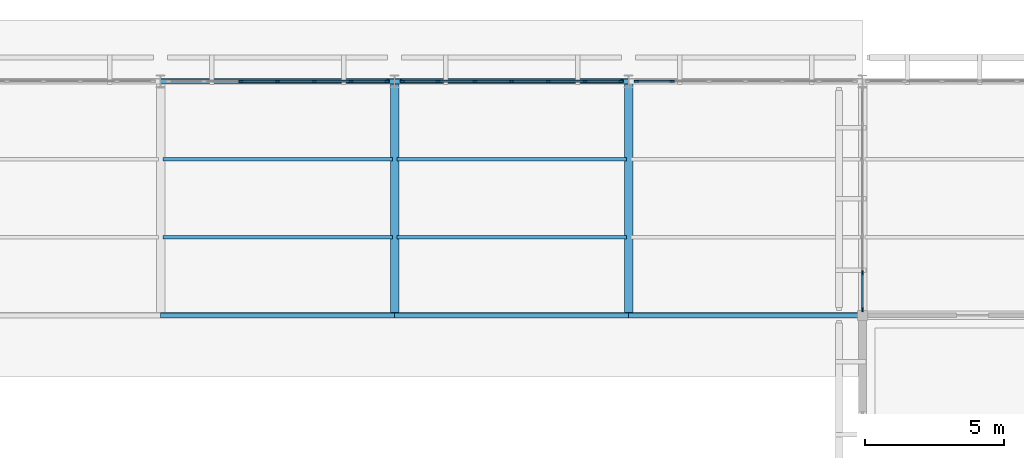
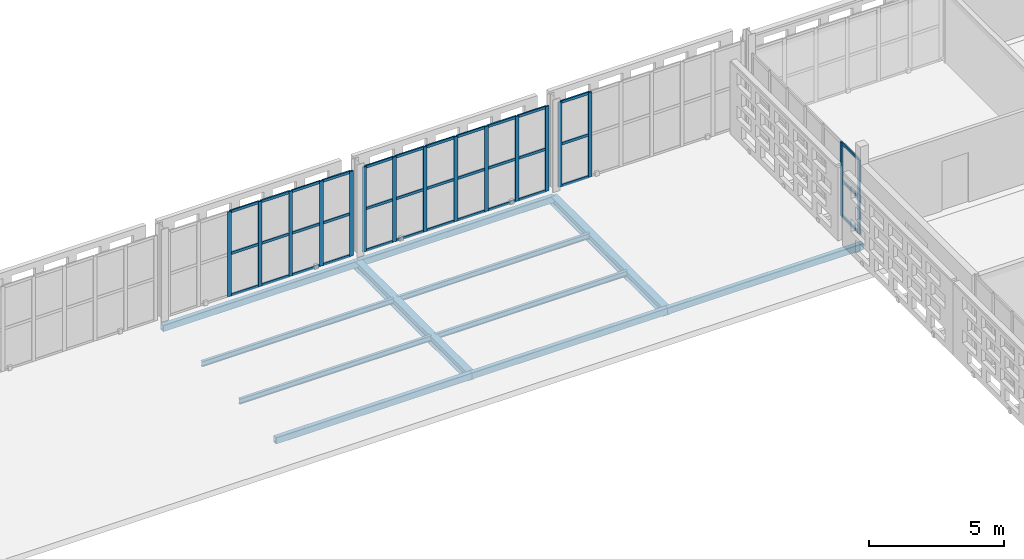
# One storey, part 53 of 166: 52 members, 11 beams, 4 elements without a shape of their own.
"""IFC4 building model written with IfcOpenShell, lengths in metres."""

from ifc_helpers import new_model, si_unit, direction, frame, origin, origin_2d, place, context, subcontext, project, spatial, rectangle, hollow_rectangle, i_section, extrude, material, layer, layer_set, material_profile, profile_set, type_object, element, aggregate, save


model = new_model("IFC4")

# Units and contexts
model_context = context("Model", 3, precision=1e-05, world=origin(), true_north=direction((0.0, 1.0)))
body_context = subcontext(model_context, "Body", "Model", "MODEL_VIEW")
ifc_project = project(units=[si_unit("LENGTHUNIT", "METRE"), si_unit("AREAUNIT", "SQUARE_METRE"), si_unit("VOLUMEUNIT", "CUBIC_METRE"), si_unit("PLANEANGLEUNIT", "RADIAN"), si_unit("MASSUNIT", "GRAM", prefix="KILO")], contexts=[model_context])

# Site, building, storey
site_placement = place(None, origin())
site = spatial("IfcSite", under=ifc_project, at=site_placement, CompositionType="ELEMENT")
building_placement = place(site_placement, origin())
building = spatial("IfcBuilding", under=site, at=building_placement, Name="Varnapada Polytechnic", CompositionType="ELEMENT")
storey_placement = place(building_placement, frame((0.0, 0.0, 9.60009765625)))
storey = spatial("IfcBuildingStorey", under=building, at=storey_placement, Name="L02", CompositionType="ELEMENT", Elevation=9.60009765625)

# Curtain wall, members
ifc_material_1 = material(Name="Double low-E laminated glass", Category="glass")
ifc_layer = layer(ifc_material_1, 0.159912109375)
ifc_layer_set = layer_set([ifc_layer], Name="Double low-E laminated glass")
curtain_wall_type = type_object("IfcCurtainWallType", Name="Curtain Wall CW-02", PredefinedType="NOTDEFINED", material=ifc_layer_set)
curtain_wall_1_placement = place(storey_placement, origin())
curtain_wall_1 = element("IfcCurtainWall", 1, at=curtain_wall_1_placement, inside=storey, type_object=curtain_wall_type, Name="L02 unitised curtain wall CW-02 (179)", PredefinedType="NOTDEFINED")
ifc_material_2 = material(Name="Anodised aluminium", Category="aluminium")
ifc_material_profile_1 = material_profile(ifc_material_2, rectangle(XDim=0.06005859375, YDim=0.159912109375, at=origin_2d()), Name="ALU M60x160")
ifc_profile_set_1 = profile_set([ifc_material_profile_1], Name="Anodised aluminium")
member_type_1 = type_object("IfcMemberType", Name="Mullion M-01", PredefinedType="MULLION", material=ifc_profile_set_1)
member_1_placement = place(storey_placement, frame((117.60009765625, 117.81005859375, 0.0), z_axis=(0.0, 0.0, 1.0), x_axis=(-1.0, 0.0, 0.0)))
member_1 = element("IfcMember", 2, at=member_1_placement, type_object=member_type_1, Name="CW-02 mullion 1", PredefinedType="MULLION", context=body_context, shape_type="SweptSolid", body=[
    extrude(rectangle(XDim=0.06005859375, YDim=0.159912109375, at=origin_2d()), origin(), (0.0, 0.0, 1.0), 3.35986328125),
])
member_2_placement = place(storey_placement, frame((117.60009765625, 119.112548828125, 0.0), z_axis=(0.0, 0.0, 1.0), x_axis=(-1.0, 0.0, 0.0)))
member_2 = element("IfcMember", 3, at=member_2_placement, type_object=member_type_1, Name="CW-02 mullion 2", PredefinedType="MULLION", context=body_context, shape_type="SweptSolid", body=[
    extrude(rectangle(XDim=0.06005859375, YDim=0.159912109375, at=origin_2d()), origin(), (0.0, 0.0, 1.0), 3.35986328125),
])

curtain_wall_2_placement = place(storey_placement, origin())
curtain_wall_2 = element("IfcCurtainWall", 4, at=curtain_wall_2_placement, inside=storey, type_object=curtain_wall_type, Name="L02 high-bay workshop north curtain wall 12", PredefinedType="NOTDEFINED")
member_3_placement = place(storey_placement, frame((95.283447265625, 126.0, 0.0), z_axis=(0.0, 0.0, 1.0), x_axis=(0.0, 1.0, 0.0)))
member_3 = element("IfcMember", 5, at=member_3_placement, type_object=member_type_1, Name="CW-02 mullion 3", PredefinedType="MULLION", context=body_context, shape_type="SweptSolid", body=[
    extrude(rectangle(XDim=0.06005859375, YDim=0.159912109375, at=origin_2d()), origin(), (0.0, 0.0, 1.0), 3.849853515625),
])
member_4_placement = place(storey_placement, frame((96.60009765625, 126.0, 0.0), z_axis=(0.0, 0.0, 1.0), x_axis=(0.0, 1.0, 0.0)))
member_4 = element("IfcMember", 6, at=member_4_placement, type_object=member_type_1, Name="CW-02 mullion 4", PredefinedType="MULLION", context=body_context, shape_type="SweptSolid", body=[
    extrude(rectangle(XDim=0.06005859375, YDim=0.159912109375, at=origin_2d()), origin(), (0.0, 0.0, 1.0), 3.849853515625),
])
member_5_placement = place(storey_placement, frame((97.916748046875, 126.0, 0.0), z_axis=(0.0, 0.0, 1.0), x_axis=(0.0, 1.0, 0.0)))
member_5 = element("IfcMember", 7, at=member_5_placement, type_object=member_type_1, Name="CW-02 mullion 5", PredefinedType="MULLION", context=body_context, shape_type="SweptSolid", body=[
    extrude(rectangle(XDim=0.06005859375, YDim=0.159912109375, at=origin_2d()), origin(), (0.0, 0.0, 1.0), 3.849853515625),
])
member_6_placement = place(storey_placement, frame((99.2333984375, 126.0, 0.0), z_axis=(0.0, 0.0, 1.0), x_axis=(0.0, 1.0, 0.0)))
member_6 = element("IfcMember", 8, at=member_6_placement, type_object=member_type_1, Name="CW-02 mullion 6", PredefinedType="MULLION", context=body_context, shape_type="SweptSolid", body=[
    extrude(rectangle(XDim=0.06005859375, YDim=0.159912109375, at=origin_2d()), origin(), (0.0, 0.0, 1.0), 3.849853515625),
])
member_7_placement = place(storey_placement, frame((100.52001953125, 126.0, 0.0), z_axis=(0.0, 0.0, 1.0), x_axis=(0.0, 1.0, 0.0)))
member_7 = element("IfcMember", 9, at=member_7_placement, type_object=member_type_1, Name="CW-02 mullion 7", PredefinedType="MULLION", context=body_context, shape_type="SweptSolid", body=[
    extrude(rectangle(XDim=0.06005859375, YDim=0.159912109375, at=origin_2d()), origin(), (0.0, 0.0, 1.0), 3.849853515625),
])

curtain_wall_3_placement = place(storey_placement, origin())
curtain_wall_3 = element("IfcCurtainWall", 10, at=curtain_wall_3_placement, inside=storey, type_object=curtain_wall_type, Name="L02 high-bay workshop north curtain wall 13", PredefinedType="NOTDEFINED")
member_8_placement = place(storey_placement, frame((101.080078125, 126.0, 0.0), z_axis=(0.0, 0.0, 1.0), x_axis=(0.0, 1.0, 0.0)))
member_8 = element("IfcMember", 11, at=member_8_placement, type_object=member_type_1, Name="CW-02 mullion 1", PredefinedType="MULLION", context=body_context, shape_type="SweptSolid", body=[
    extrude(rectangle(XDim=0.06005859375, YDim=0.159912109375, at=origin_2d()), origin(), (0.0, 0.0, 1.0), 3.849853515625),
])
member_9_placement = place(storey_placement, frame((102.36669921875, 126.0, 0.0), z_axis=(0.0, 0.0, 1.0), x_axis=(0.0, 1.0, 0.0)))
member_9 = element("IfcMember", 12, at=member_9_placement, type_object=member_type_1, Name="CW-02 mullion 2", PredefinedType="MULLION", context=body_context, shape_type="SweptSolid", body=[
    extrude(rectangle(XDim=0.06005859375, YDim=0.159912109375, at=origin_2d()), origin(), (0.0, 0.0, 1.0), 3.849853515625),
])
member_10_placement = place(storey_placement, frame((103.683349609375, 126.0, 0.0), z_axis=(0.0, 0.0, 1.0), x_axis=(0.0, 1.0, 0.0)))
member_10 = element("IfcMember", 13, at=member_10_placement, type_object=member_type_1, Name="CW-02 mullion 3", PredefinedType="MULLION", context=body_context, shape_type="SweptSolid", body=[
    extrude(rectangle(XDim=0.06005859375, YDim=0.159912109375, at=origin_2d()), origin(), (0.0, 0.0, 1.0), 3.849853515625),
])
member_11_placement = place(storey_placement, frame((105.0, 126.0, 0.0), z_axis=(0.0, 0.0, 1.0), x_axis=(0.0, 1.0, 0.0)))
member_11 = element("IfcMember", 14, at=member_11_placement, type_object=member_type_1, Name="CW-02 mullion 4", PredefinedType="MULLION", context=body_context, shape_type="SweptSolid", body=[
    extrude(rectangle(XDim=0.06005859375, YDim=0.159912109375, at=origin_2d()), origin(), (0.0, 0.0, 1.0), 3.849853515625),
])
member_12_placement = place(storey_placement, frame((106.316650390625, 126.0, 0.0), z_axis=(0.0, 0.0, 1.0), x_axis=(0.0, 1.0, 0.0)))
member_12 = element("IfcMember", 15, at=member_12_placement, type_object=member_type_1, Name="CW-02 mullion 5", PredefinedType="MULLION", context=body_context, shape_type="SweptSolid", body=[
    extrude(rectangle(XDim=0.06005859375, YDim=0.159912109375, at=origin_2d()), origin(), (0.0, 0.0, 1.0), 3.849853515625),
])
member_13_placement = place(storey_placement, frame((107.63330078125, 126.0, 0.0), z_axis=(0.0, 0.0, 1.0), x_axis=(0.0, 1.0, 0.0)))
member_13 = element("IfcMember", 16, at=member_13_placement, type_object=member_type_1, Name="CW-02 mullion 6", PredefinedType="MULLION", context=body_context, shape_type="SweptSolid", body=[
    extrude(rectangle(XDim=0.06005859375, YDim=0.159912109375, at=origin_2d()), origin(), (0.0, 0.0, 1.0), 3.849853515625),
])
member_14_placement = place(storey_placement, frame((108.919921875, 126.0, 0.0), z_axis=(0.0, 0.0, 1.0), x_axis=(0.0, 1.0, 0.0)))
member_14 = element("IfcMember", 17, at=member_14_placement, type_object=member_type_1, Name="CW-02 mullion 7", PredefinedType="MULLION", context=body_context, shape_type="SweptSolid", body=[
    extrude(rectangle(XDim=0.06005859375, YDim=0.159912109375, at=origin_2d()), origin(), (0.0, 0.0, 1.0), 3.849853515625),
])

curtain_wall_4_placement = place(storey_placement, origin())
curtain_wall_4 = element("IfcCurtainWall", 18, at=curtain_wall_4_placement, inside=storey, type_object=curtain_wall_type, Name="L02 high-bay workshop north curtain wall 14", PredefinedType="NOTDEFINED")
member_15_placement = place(storey_placement, frame((109.47998046875, 126.0, 0.0), z_axis=(0.0, 0.0, 1.0), x_axis=(0.0, 1.0, 0.0)))
member_15 = element("IfcMember", 19, at=member_15_placement, type_object=member_type_1, Name="CW-02 mullion 1", PredefinedType="MULLION", context=body_context, shape_type="SweptSolid", body=[
    extrude(rectangle(XDim=0.06005859375, YDim=0.159912109375, at=origin_2d()), origin(), (0.0, 0.0, 1.0), 3.849853515625),
])
member_16_placement = place(storey_placement, frame((110.7666015625, 126.0, 0.0), z_axis=(0.0, 0.0, 1.0), x_axis=(0.0, 1.0, 0.0)))
member_16 = element("IfcMember", 20, at=member_16_placement, type_object=member_type_1, Name="CW-02 mullion 2", PredefinedType="MULLION", context=body_context, shape_type="SweptSolid", body=[
    extrude(rectangle(XDim=0.06005859375, YDim=0.159912109375, at=origin_2d()), origin(), (0.0, 0.0, 1.0), 3.849853515625),
])

# Beams
ifc_material_3 = material(Name="Steel S355", Category="steel")
ifc_material_profile_2 = material_profile(ifc_material_3, i_section(OverallWidth=0.300048828125, OverallDepth=0.389892578125, WebThickness=0.010986328125, FlangeThickness=0.01904296875, FilletRadius=0.027099609375, at=origin_2d()), Name="HEA 400")
ifc_profile_set_2 = profile_set([ifc_material_profile_2], Name="Steel S355")
beam_type_1 = type_object("IfcBeamType", Name="Steel roof primary girder SG-01 (HEA 400)", PredefinedType="BEAM", material=ifc_profile_set_2)
for number, where, z_axis, x_axis, name in (
    (21, (100.800048828125, 117.60009765625, -0.465087890625), (0.0, 1.0, 0.0), (-1.0, 0.0, 0.0), "L02 beam Y 15-16 at X13"),
    (22, (109.199951171875, 117.60009765625, -0.465087890625), (0.0, 1.0, 0.0), (-1.0, 0.0, 0.0), "L02 beam Y 15-16 at X14"),
):
    element("IfcBeam", number, at=place(storey_placement, frame(where, z_axis=z_axis, x_axis=x_axis)), inside=storey, type_object=beam_type_1, Name=name, PredefinedType="BEAM", context=body_context, shape_type="SweptSolid", body=[
        extrude(i_section(OverallWidth=0.300048828125, OverallDepth=0.389892578125, WebThickness=0.010986328125, FlangeThickness=0.01904296875, FilletRadius=0.027099609375, at=origin_2d()), origin(), (0.0, 0.0, 1.0), 8.39990234375),
    ])

# Member
ifc_material_profile_3 = material_profile(ifc_material_2, rectangle(XDim=0.06005859375, YDim=0.1201171875, at=origin_2d()), Name="ALU T60x120")
ifc_profile_set_3 = profile_set([ifc_material_profile_3], Name="Anodised aluminium")
member_type_2 = type_object("IfcMemberType", Name="Transom T-01", PredefinedType="USERDEFINED", material=ifc_profile_set_3)
member_17_placement = place(storey_placement, frame((117.60009765625, 117.840087890625, 0.02978515625), z_axis=(0.0, 1.0, 0.0), x_axis=(-1.0, 0.0, 0.0)))
member_17 = element("IfcMember", 23, at=member_17_placement, type_object=member_type_2, Name="CW-02 transom 1.1", ObjectType="TRANSOM", PredefinedType="USERDEFINED", context=body_context, shape_type="SweptSolid", body=[
    extrude(rectangle(XDim=0.06005859375, YDim=0.1201171875, at=origin_2d()), origin(), (0.0, 0.0, 1.0), 1.242431640625),
])

member_18_placement = place(storey_placement, frame((117.60009765625, 117.840087890625, 1.61279296875), z_axis=(0.0, 1.0, 0.0), x_axis=(-1.0, 0.0, 0.0)))
member_18 = element("IfcMember", 24, at=member_18_placement, type_object=member_type_2, Name="CW-02 transom 1.2", ObjectType="TRANSOM", PredefinedType="USERDEFINED", context=body_context, shape_type="SweptSolid", body=[
    extrude(rectangle(XDim=0.06005859375, YDim=0.1201171875, at=origin_2d()), origin(), (0.0, 0.0, 1.0), 1.242431640625),
])

member_19_placement = place(storey_placement, frame((117.60009765625, 117.840087890625, 3.329833984375), z_axis=(0.0, 1.0, 0.0), x_axis=(-1.0, 0.0, 0.0)))
member_19 = element("IfcMember", 25, at=member_19_placement, type_object=member_type_2, Name="CW-02 transom 1.3", ObjectType="TRANSOM", PredefinedType="USERDEFINED", context=body_context, shape_type="SweptSolid", body=[
    extrude(rectangle(XDim=0.06005859375, YDim=0.1201171875, at=origin_2d()), origin(), (0.0, 0.0, 1.0), 1.242431640625),
])

aggregate(curtain_wall_1, [member_1, member_2, member_17, member_18, member_19])

member_20_placement = place(storey_placement, frame((95.313232421875, 126.0, 0.02978515625), z_axis=(1.0, 0.0, 0.0), x_axis=(0.0, 1.0, 0.0)))
member_20 = element("IfcMember", 26, at=member_20_placement, type_object=member_type_2, Name="CW-02 transom 3.1", ObjectType="TRANSOM", PredefinedType="USERDEFINED", context=body_context, shape_type="SweptSolid", body=[
    extrude(rectangle(XDim=0.06005859375, YDim=0.1201171875, at=origin_2d()), origin(), (0.0, 0.0, 1.0), 1.2568359375),
])

member_21_placement = place(storey_placement, frame((95.313232421875, 126.0, 1.9248046875), z_axis=(1.0, 0.0, 0.0), x_axis=(0.0, 1.0, 0.0)))
member_21 = element("IfcMember", 27, at=member_21_placement, type_object=member_type_2, Name="CW-02 transom 3.2", ObjectType="TRANSOM", PredefinedType="USERDEFINED", context=body_context, shape_type="SweptSolid", body=[
    extrude(rectangle(XDim=0.06005859375, YDim=0.1201171875, at=origin_2d()), origin(), (0.0, 0.0, 1.0), 1.2568359375),
])

member_22_placement = place(storey_placement, frame((95.313232421875, 126.0, 3.81982421875), z_axis=(1.0, 0.0, 0.0), x_axis=(0.0, 1.0, 0.0)))
member_22 = element("IfcMember", 28, at=member_22_placement, type_object=member_type_2, Name="CW-02 transom 3.3", ObjectType="TRANSOM", PredefinedType="USERDEFINED", context=body_context, shape_type="SweptSolid", body=[
    extrude(rectangle(XDim=0.06005859375, YDim=0.1201171875, at=origin_2d()), origin(), (0.0, 0.0, 1.0), 1.2568359375),
])

member_23_placement = place(storey_placement, frame((96.6298828125, 126.0, 0.02978515625), z_axis=(1.0, 0.0, 0.0), x_axis=(0.0, 1.0, 0.0)))
member_23 = element("IfcMember", 29, at=member_23_placement, type_object=member_type_2, Name="CW-02 transom 4.1", ObjectType="TRANSOM", PredefinedType="USERDEFINED", context=body_context, shape_type="SweptSolid", body=[
    extrude(rectangle(XDim=0.06005859375, YDim=0.1201171875, at=origin_2d()), origin(), (0.0, 0.0, 1.0), 1.2568359375),
])

member_24_placement = place(storey_placement, frame((96.6298828125, 126.0, 1.9248046875), z_axis=(1.0, 0.0, 0.0), x_axis=(0.0, 1.0, 0.0)))
member_24 = element("IfcMember", 30, at=member_24_placement, type_object=member_type_2, Name="CW-02 transom 4.2", ObjectType="TRANSOM", PredefinedType="USERDEFINED", context=body_context, shape_type="SweptSolid", body=[
    extrude(rectangle(XDim=0.06005859375, YDim=0.1201171875, at=origin_2d()), origin(), (0.0, 0.0, 1.0), 1.2568359375),
])

member_25_placement = place(storey_placement, frame((96.6298828125, 126.0, 3.81982421875), z_axis=(1.0, 0.0, 0.0), x_axis=(0.0, 1.0, 0.0)))
member_25 = element("IfcMember", 31, at=member_25_placement, type_object=member_type_2, Name="CW-02 transom 4.3", ObjectType="TRANSOM", PredefinedType="USERDEFINED", context=body_context, shape_type="SweptSolid", body=[
    extrude(rectangle(XDim=0.06005859375, YDim=0.1201171875, at=origin_2d()), origin(), (0.0, 0.0, 1.0), 1.2568359375),
])

member_26_placement = place(storey_placement, frame((97.94677734375, 126.0, 0.02978515625), z_axis=(1.0, 0.0, 0.0), x_axis=(0.0, 1.0, 0.0)))
member_26 = element("IfcMember", 32, at=member_26_placement, type_object=member_type_2, Name="CW-02 transom 5.1", ObjectType="TRANSOM", PredefinedType="USERDEFINED", context=body_context, shape_type="SweptSolid", body=[
    extrude(rectangle(XDim=0.06005859375, YDim=0.1201171875, at=origin_2d()), origin(), (0.0, 0.0, 1.0), 1.256591796875),
])

member_27_placement = place(storey_placement, frame((97.94677734375, 126.0, 1.9248046875), z_axis=(1.0, 0.0, 0.0), x_axis=(0.0, 1.0, 0.0)))
member_27 = element("IfcMember", 33, at=member_27_placement, type_object=member_type_2, Name="CW-02 transom 5.2", ObjectType="TRANSOM", PredefinedType="USERDEFINED", context=body_context, shape_type="SweptSolid", body=[
    extrude(rectangle(XDim=0.06005859375, YDim=0.1201171875, at=origin_2d()), origin(), (0.0, 0.0, 1.0), 1.256591796875),
])

member_28_placement = place(storey_placement, frame((97.94677734375, 126.0, 3.81982421875), z_axis=(1.0, 0.0, 0.0), x_axis=(0.0, 1.0, 0.0)))
member_28 = element("IfcMember", 34, at=member_28_placement, type_object=member_type_2, Name="CW-02 transom 5.3", ObjectType="TRANSOM", PredefinedType="USERDEFINED", context=body_context, shape_type="SweptSolid", body=[
    extrude(rectangle(XDim=0.06005859375, YDim=0.1201171875, at=origin_2d()), origin(), (0.0, 0.0, 1.0), 1.256591796875),
])

member_29_placement = place(storey_placement, frame((99.263427734375, 126.0, 0.02978515625), z_axis=(1.0, 0.0, 0.0), x_axis=(0.0, 1.0, 0.0)))
member_29 = element("IfcMember", 35, at=member_29_placement, type_object=member_type_2, Name="CW-02 transom 6.1", ObjectType="TRANSOM", PredefinedType="USERDEFINED", context=body_context, shape_type="SweptSolid", body=[
    extrude(rectangle(XDim=0.06005859375, YDim=0.1201171875, at=origin_2d()), origin(), (0.0, 0.0, 1.0), 1.2265625),
])

member_30_placement = place(storey_placement, frame((99.263427734375, 126.0, 1.9248046875), z_axis=(1.0, 0.0, 0.0), x_axis=(0.0, 1.0, 0.0)))
member_30 = element("IfcMember", 36, at=member_30_placement, type_object=member_type_2, Name="CW-02 transom 6.2", ObjectType="TRANSOM", PredefinedType="USERDEFINED", context=body_context, shape_type="SweptSolid", body=[
    extrude(rectangle(XDim=0.06005859375, YDim=0.1201171875, at=origin_2d()), origin(), (0.0, 0.0, 1.0), 1.2265625),
])

member_31_placement = place(storey_placement, frame((99.263427734375, 126.0, 3.81982421875), z_axis=(1.0, 0.0, 0.0), x_axis=(0.0, 1.0, 0.0)))
member_31 = element("IfcMember", 37, at=member_31_placement, type_object=member_type_2, Name="CW-02 transom 6.3", ObjectType="TRANSOM", PredefinedType="USERDEFINED", context=body_context, shape_type="SweptSolid", body=[
    extrude(rectangle(XDim=0.06005859375, YDim=0.1201171875, at=origin_2d()), origin(), (0.0, 0.0, 1.0), 1.2265625),
])

aggregate(curtain_wall_2, [member_3, member_4, member_5, member_6, member_7, member_20, member_21, member_22, member_23, member_24, member_25, member_26, member_27, member_28, member_29, member_30, member_31])

member_32_placement = place(storey_placement, frame((101.110107421875, 126.0, 0.02978515625), z_axis=(1.0, 0.0, 0.0), x_axis=(0.0, 1.0, 0.0)))
member_32 = element("IfcMember", 38, at=member_32_placement, type_object=member_type_2, Name="CW-02 transom 1.1", ObjectType="TRANSOM", PredefinedType="USERDEFINED", context=body_context, shape_type="SweptSolid", body=[
    extrude(rectangle(XDim=0.06005859375, YDim=0.1201171875, at=origin_2d()), origin(), (0.0, 0.0, 1.0), 1.2265625),
])

member_33_placement = place(storey_placement, frame((101.110107421875, 126.0, 1.9248046875), z_axis=(1.0, 0.0, 0.0), x_axis=(0.0, 1.0, 0.0)))
member_33 = element("IfcMember", 39, at=member_33_placement, type_object=member_type_2, Name="CW-02 transom 1.2", ObjectType="TRANSOM", PredefinedType="USERDEFINED", context=body_context, shape_type="SweptSolid", body=[
    extrude(rectangle(XDim=0.06005859375, YDim=0.1201171875, at=origin_2d()), origin(), (0.0, 0.0, 1.0), 1.2265625),
])

member_34_placement = place(storey_placement, frame((101.110107421875, 126.0, 3.81982421875), z_axis=(1.0, 0.0, 0.0), x_axis=(0.0, 1.0, 0.0)))
member_34 = element("IfcMember", 40, at=member_34_placement, type_object=member_type_2, Name="CW-02 transom 1.3", ObjectType="TRANSOM", PredefinedType="USERDEFINED", context=body_context, shape_type="SweptSolid", body=[
    extrude(rectangle(XDim=0.06005859375, YDim=0.1201171875, at=origin_2d()), origin(), (0.0, 0.0, 1.0), 1.2265625),
])

member_35_placement = place(storey_placement, frame((102.396728515625, 126.0, 0.02978515625), z_axis=(1.0, 0.0, 0.0), x_axis=(0.0, 1.0, 0.0)))
member_35 = element("IfcMember", 41, at=member_35_placement, type_object=member_type_2, Name="CW-02 transom 2.1", ObjectType="TRANSOM", PredefinedType="USERDEFINED", context=body_context, shape_type="SweptSolid", body=[
    extrude(rectangle(XDim=0.06005859375, YDim=0.1201171875, at=origin_2d()), origin(), (0.0, 0.0, 1.0), 1.256591796875),
])

member_36_placement = place(storey_placement, frame((102.396728515625, 126.0, 1.9248046875), z_axis=(1.0, 0.0, 0.0), x_axis=(0.0, 1.0, 0.0)))
member_36 = element("IfcMember", 42, at=member_36_placement, type_object=member_type_2, Name="CW-02 transom 2.2", ObjectType="TRANSOM", PredefinedType="USERDEFINED", context=body_context, shape_type="SweptSolid", body=[
    extrude(rectangle(XDim=0.06005859375, YDim=0.1201171875, at=origin_2d()), origin(), (0.0, 0.0, 1.0), 1.256591796875),
])

member_37_placement = place(storey_placement, frame((102.396728515625, 126.0, 3.81982421875), z_axis=(1.0, 0.0, 0.0), x_axis=(0.0, 1.0, 0.0)))
member_37 = element("IfcMember", 43, at=member_37_placement, type_object=member_type_2, Name="CW-02 transom 2.3", ObjectType="TRANSOM", PredefinedType="USERDEFINED", context=body_context, shape_type="SweptSolid", body=[
    extrude(rectangle(XDim=0.06005859375, YDim=0.1201171875, at=origin_2d()), origin(), (0.0, 0.0, 1.0), 1.256591796875),
])

member_38_placement = place(storey_placement, frame((103.71337890625, 126.0, 0.02978515625), z_axis=(1.0, 0.0, 0.0), x_axis=(0.0, 1.0, 0.0)))
member_38 = element("IfcMember", 44, at=member_38_placement, type_object=member_type_2, Name="CW-02 transom 3.1", ObjectType="TRANSOM", PredefinedType="USERDEFINED", context=body_context, shape_type="SweptSolid", body=[
    extrude(rectangle(XDim=0.06005859375, YDim=0.1201171875, at=origin_2d()), origin(), (0.0, 0.0, 1.0), 1.256591796875),
])

member_39_placement = place(storey_placement, frame((103.71337890625, 126.0, 1.9248046875), z_axis=(1.0, 0.0, 0.0), x_axis=(0.0, 1.0, 0.0)))
member_39 = element("IfcMember", 45, at=member_39_placement, type_object=member_type_2, Name="CW-02 transom 3.2", ObjectType="TRANSOM", PredefinedType="USERDEFINED", context=body_context, shape_type="SweptSolid", body=[
    extrude(rectangle(XDim=0.06005859375, YDim=0.1201171875, at=origin_2d()), origin(), (0.0, 0.0, 1.0), 1.256591796875),
])

member_40_placement = place(storey_placement, frame((103.71337890625, 126.0, 3.81982421875), z_axis=(1.0, 0.0, 0.0), x_axis=(0.0, 1.0, 0.0)))
member_40 = element("IfcMember", 46, at=member_40_placement, type_object=member_type_2, Name="CW-02 transom 3.3", ObjectType="TRANSOM", PredefinedType="USERDEFINED", context=body_context, shape_type="SweptSolid", body=[
    extrude(rectangle(XDim=0.06005859375, YDim=0.1201171875, at=origin_2d()), origin(), (0.0, 0.0, 1.0), 1.256591796875),
])

member_41_placement = place(storey_placement, frame((105.030029296875, 126.0, 0.02978515625), z_axis=(1.0, 0.0, 0.0), x_axis=(0.0, 1.0, 0.0)))
member_41 = element("IfcMember", 47, at=member_41_placement, type_object=member_type_2, Name="CW-02 transom 4.1", ObjectType="TRANSOM", PredefinedType="USERDEFINED", context=body_context, shape_type="SweptSolid", body=[
    extrude(rectangle(XDim=0.06005859375, YDim=0.1201171875, at=origin_2d()), origin(), (0.0, 0.0, 1.0), 1.256591796875),
])

member_42_placement = place(storey_placement, frame((105.030029296875, 126.0, 1.9248046875), z_axis=(1.0, 0.0, 0.0), x_axis=(0.0, 1.0, 0.0)))
member_42 = element("IfcMember", 48, at=member_42_placement, type_object=member_type_2, Name="CW-02 transom 4.2", ObjectType="TRANSOM", PredefinedType="USERDEFINED", context=body_context, shape_type="SweptSolid", body=[
    extrude(rectangle(XDim=0.06005859375, YDim=0.1201171875, at=origin_2d()), origin(), (0.0, 0.0, 1.0), 1.256591796875),
])

member_43_placement = place(storey_placement, frame((105.030029296875, 126.0, 3.81982421875), z_axis=(1.0, 0.0, 0.0), x_axis=(0.0, 1.0, 0.0)))
member_43 = element("IfcMember", 49, at=member_43_placement, type_object=member_type_2, Name="CW-02 transom 4.3", ObjectType="TRANSOM", PredefinedType="USERDEFINED", context=body_context, shape_type="SweptSolid", body=[
    extrude(rectangle(XDim=0.06005859375, YDim=0.1201171875, at=origin_2d()), origin(), (0.0, 0.0, 1.0), 1.256591796875),
])

member_44_placement = place(storey_placement, frame((106.3466796875, 126.0, 0.02978515625), z_axis=(1.0, 0.0, 0.0), x_axis=(0.0, 1.0, 0.0)))
member_44 = element("IfcMember", 50, at=member_44_placement, type_object=member_type_2, Name="CW-02 transom 5.1", ObjectType="TRANSOM", PredefinedType="USERDEFINED", context=body_context, shape_type="SweptSolid", body=[
    extrude(rectangle(XDim=0.06005859375, YDim=0.1201171875, at=origin_2d()), origin(), (0.0, 0.0, 1.0), 1.256591796875),
])

member_45_placement = place(storey_placement, frame((106.3466796875, 126.0, 1.9248046875), z_axis=(1.0, 0.0, 0.0), x_axis=(0.0, 1.0, 0.0)))
member_45 = element("IfcMember", 51, at=member_45_placement, type_object=member_type_2, Name="CW-02 transom 5.2", ObjectType="TRANSOM", PredefinedType="USERDEFINED", context=body_context, shape_type="SweptSolid", body=[
    extrude(rectangle(XDim=0.06005859375, YDim=0.1201171875, at=origin_2d()), origin(), (0.0, 0.0, 1.0), 1.256591796875),
])

member_46_placement = place(storey_placement, frame((106.3466796875, 126.0, 3.81982421875), z_axis=(1.0, 0.0, 0.0), x_axis=(0.0, 1.0, 0.0)))
member_46 = element("IfcMember", 52, at=member_46_placement, type_object=member_type_2, Name="CW-02 transom 5.3", ObjectType="TRANSOM", PredefinedType="USERDEFINED", context=body_context, shape_type="SweptSolid", body=[
    extrude(rectangle(XDim=0.06005859375, YDim=0.1201171875, at=origin_2d()), origin(), (0.0, 0.0, 1.0), 1.256591796875),
])

member_47_placement = place(storey_placement, frame((107.663330078125, 126.0, 0.02978515625), z_axis=(1.0, 0.0, 0.0), x_axis=(0.0, 1.0, 0.0)))
member_47 = element("IfcMember", 53, at=member_47_placement, type_object=member_type_2, Name="CW-02 transom 6.1", ObjectType="TRANSOM", PredefinedType="USERDEFINED", context=body_context, shape_type="SweptSolid", body=[
    extrude(rectangle(XDim=0.06005859375, YDim=0.1201171875, at=origin_2d()), origin(), (0.0, 0.0, 1.0), 1.2265625),
])

member_48_placement = place(storey_placement, frame((107.663330078125, 126.0, 1.9248046875), z_axis=(1.0, 0.0, 0.0), x_axis=(0.0, 1.0, 0.0)))
member_48 = element("IfcMember", 54, at=member_48_placement, type_object=member_type_2, Name="CW-02 transom 6.2", ObjectType="TRANSOM", PredefinedType="USERDEFINED", context=body_context, shape_type="SweptSolid", body=[
    extrude(rectangle(XDim=0.06005859375, YDim=0.1201171875, at=origin_2d()), origin(), (0.0, 0.0, 1.0), 1.2265625),
])

member_49_placement = place(storey_placement, frame((107.663330078125, 126.0, 3.81982421875), z_axis=(1.0, 0.0, 0.0), x_axis=(0.0, 1.0, 0.0)))
member_49 = element("IfcMember", 55, at=member_49_placement, type_object=member_type_2, Name="CW-02 transom 6.3", ObjectType="TRANSOM", PredefinedType="USERDEFINED", context=body_context, shape_type="SweptSolid", body=[
    extrude(rectangle(XDim=0.06005859375, YDim=0.1201171875, at=origin_2d()), origin(), (0.0, 0.0, 1.0), 1.2265625),
])

aggregate(curtain_wall_3, [member_8, member_9, member_10, member_11, member_12, member_13, member_14, member_32, member_33, member_34, member_35, member_36, member_37, member_38, member_39, member_40, member_41, member_42, member_43, member_44, member_45, member_46, member_47, member_48, member_49])

member_50_placement = place(storey_placement, frame((109.510009765625, 126.0, 0.02978515625), z_axis=(1.0, 0.0, 0.0), x_axis=(0.0, 1.0, 0.0)))
member_50 = element("IfcMember", 56, at=member_50_placement, type_object=member_type_2, Name="CW-02 transom 1.1", ObjectType="TRANSOM", PredefinedType="USERDEFINED", context=body_context, shape_type="SweptSolid", body=[
    extrude(rectangle(XDim=0.06005859375, YDim=0.1201171875, at=origin_2d()), origin(), (0.0, 0.0, 1.0), 1.2265625),
])

member_51_placement = place(storey_placement, frame((109.510009765625, 126.0, 1.9248046875), z_axis=(1.0, 0.0, 0.0), x_axis=(0.0, 1.0, 0.0)))
member_51 = element("IfcMember", 57, at=member_51_placement, type_object=member_type_2, Name="CW-02 transom 1.2", ObjectType="TRANSOM", PredefinedType="USERDEFINED", context=body_context, shape_type="SweptSolid", body=[
    extrude(rectangle(XDim=0.06005859375, YDim=0.1201171875, at=origin_2d()), origin(), (0.0, 0.0, 1.0), 1.2265625),
])

member_52_placement = place(storey_placement, frame((109.510009765625, 126.0, 3.81982421875), z_axis=(1.0, 0.0, 0.0), x_axis=(0.0, 1.0, 0.0)))
member_52 = element("IfcMember", 58, at=member_52_placement, type_object=member_type_2, Name="CW-02 transom 1.3", ObjectType="TRANSOM", PredefinedType="USERDEFINED", context=body_context, shape_type="SweptSolid", body=[
    extrude(rectangle(XDim=0.06005859375, YDim=0.1201171875, at=origin_2d()), origin(), (0.0, 0.0, 1.0), 1.2265625),
])

aggregate(curtain_wall_4, [member_15, member_16, member_50, member_51, member_52])

# Beams
ifc_material_profile_4 = material_profile(ifc_material_3, i_section(OverallWidth=0.1201171875, OverallDepth=0.239990234375, WebThickness=0.006103515625, FlangeThickness=0.009765625, FilletRadius=0.014892578125, at=origin_2d()), Name="IPE 240")
ifc_profile_set_4 = profile_set([ifc_material_profile_4], Name="Steel S355")
beam_type_2 = type_object("IfcBeamType", Name="Workshop gallery composite joist SJ-01 (IPE 240)", PredefinedType="JOIST", material=ifc_profile_set_4)
for number, where, z_axis, x_axis, name in (
    (59, (92.47998046875, 120.39990234375, -0.39013671875), (1.0, 0.0, 0.0), (0.0, 1.0, 0.0), "L02 floor joist 12/15.1"),
    (60, (92.47998046875, 123.199951171875, -0.39013671875), (1.0, 0.0, 0.0), (0.0, 1.0, 0.0), "L02 floor joist 12/15.2"),
):
    element("IfcBeam", number, at=place(storey_placement, frame(where, z_axis=z_axis, x_axis=x_axis)), inside=storey, type_object=beam_type_2, Name=name, PredefinedType="JOIST", context=body_context, shape_type="SweptSolid", body=[
        extrude(i_section(OverallWidth=0.1201171875, OverallDepth=0.239990234375, WebThickness=0.006103515625, FlangeThickness=0.009765625, FilletRadius=0.014892578125, at=origin_2d()), origin(), (0.0, 0.0, 1.0), 8.239990234375),
    ])
for number, where, z_axis, x_axis, name in (
    (61, (100.8798828125, 120.39990234375, -0.39013671875), (1.0, 0.0, 0.0), (0.0, 1.0, 0.0), "L02 floor joist 13/15.1"),
    (62, (100.8798828125, 123.199951171875, -0.39013671875), (1.0, 0.0, 0.0), (0.0, 1.0, 0.0), "L02 floor joist 13/15.2"),
):
    element("IfcBeam", number, at=place(storey_placement, frame(where, z_axis=z_axis, x_axis=x_axis)), inside=storey, type_object=beam_type_2, Name=name, PredefinedType="JOIST", context=body_context, shape_type="SweptSolid", body=[
        extrude(i_section(OverallWidth=0.1201171875, OverallDepth=0.239990234375, WebThickness=0.006103515625, FlangeThickness=0.009765625, FilletRadius=0.014892578125, at=origin_2d()), origin(), (0.0, 0.0, 1.0), 8.240234375),
    ])
ifc_material_profile_5 = material_profile(ifc_material_3, hollow_rectangle(XDim=0.199951171875, YDim=0.300048828125, WallThickness=0.010009765625, InnerFilletRadius=0.010009765625, OuterFilletRadius=0.02001953125, at=origin_2d()), Name="RHS 300x200x10")
ifc_profile_set_5 = profile_set([ifc_material_profile_5], Name="Steel S355")
beam_type_3 = type_object("IfcBeamType", Name="Workshop steel spandrel tie SP-03 (RHS 300x200x10)", PredefinedType="SPANDREL", material=ifc_profile_set_5)
for number, where, z_axis, x_axis, name in (
    (63, (92.39990234375, 117.60009765625, -0.420166015625), (1.0, 0.0, 0.0), (0.0, 1.0, 0.0), "L02 beam X 12-13 at Y15"),
    (64, (92.39990234375, 126.0, -0.420166015625), (1.0, 0.0, 0.0), (0.0, 1.0, 0.0), "L02 beam X 12-13 at Y16"),
):
    element("IfcBeam", number, at=place(storey_placement, frame(where, z_axis=z_axis, x_axis=x_axis)), inside=storey, type_object=beam_type_3, Name=name, PredefinedType="SPANDREL", context=body_context, shape_type="SweptSolid", body=[
        extrude(hollow_rectangle(XDim=0.199951171875, YDim=0.300048828125, WallThickness=0.010009765625, InnerFilletRadius=0.010009765625, OuterFilletRadius=0.02001953125, at=origin_2d()), origin(), (0.0, 0.0, 1.0), 8.400146484375),
    ])
for number, where, z_axis, x_axis, name in (
    (65, (100.800048828125, 117.60009765625, -0.420166015625), (1.0, 0.0, 0.0), (0.0, 1.0, 0.0), "L02 beam X 13-14 at Y15"),
    (66, (100.800048828125, 126.0, -0.420166015625), (1.0, 0.0, 0.0), (0.0, 1.0, 0.0), "L02 beam X 13-14 at Y16"),
):
    element("IfcBeam", number, at=place(storey_placement, frame(where, z_axis=z_axis, x_axis=x_axis)), inside=storey, type_object=beam_type_3, Name=name, PredefinedType="SPANDREL", context=body_context, shape_type="SweptSolid", body=[
        extrude(hollow_rectangle(XDim=0.199951171875, YDim=0.300048828125, WallThickness=0.010009765625, InnerFilletRadius=0.010009765625, OuterFilletRadius=0.02001953125, at=origin_2d()), origin(), (0.0, 0.0, 1.0), 8.39990234375),
    ])
beam_placement = place(storey_placement, frame((109.199951171875, 117.60009765625, -0.420166015625), z_axis=(1.0, 0.0, 0.0), x_axis=(0.0, 1.0, 0.0)))
element("IfcBeam", 67, at=beam_placement, inside=storey, type_object=beam_type_3, Name="L02 beam X 14-15 at Y15", PredefinedType="SPANDREL", context=body_context, shape_type="SweptSolid", body=[
    extrude(hollow_rectangle(XDim=0.199951171875, YDim=0.300048828125, WallThickness=0.010009765625, InnerFilletRadius=0.010009765625, OuterFilletRadius=0.02001953125, at=origin_2d()), origin(), (0.0, 0.0, 1.0), 8.400146484375),
])

save(model, "model.ifc")
